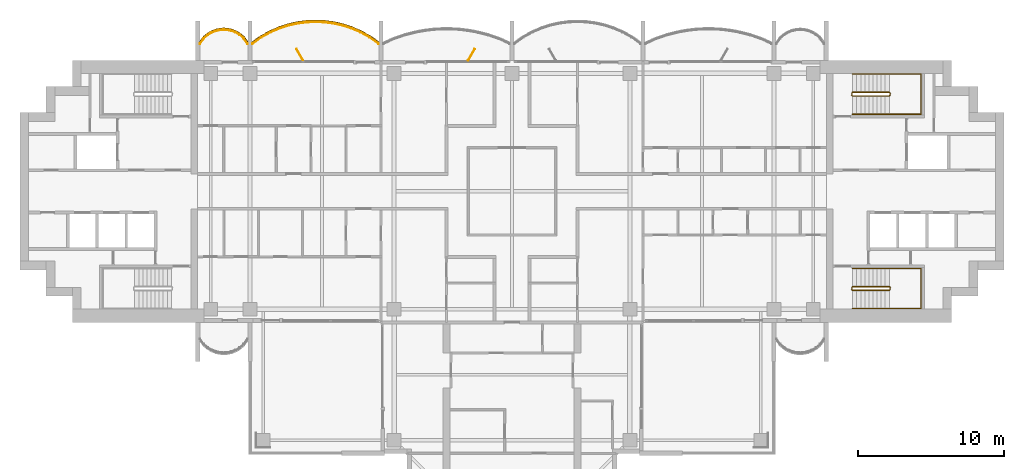
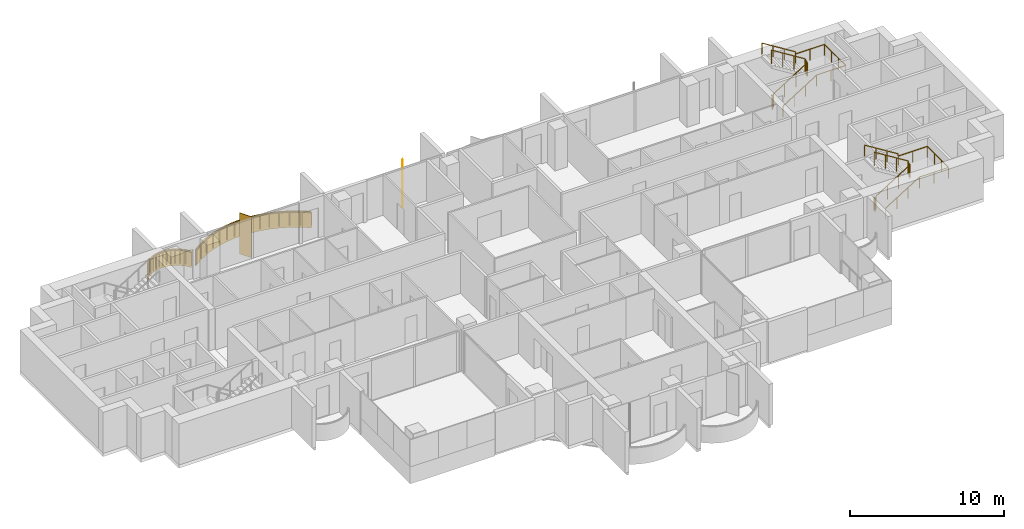
# One storey, part 16 of 17: 6 railings, 2 coverings, 2 shading devices.
"""IFC4 building model written with IfcOpenShell, lengths in metres."""

from ifc_helpers import new_model, si_unit, direction, frame, origin, origin_2d, place, context, subcontext, project, spatial, polyline, rectangle, outline, extrude, material, layer, layer_set, type_object, element, save


model = new_model("IFC4")

# Units and contexts
model_context = context("Model", 3, precision=1e-05, world=origin(), true_north=direction((0.0, 1.0)))
body_context = subcontext(model_context, "Body", "Model", "MODEL_VIEW")
ifc_project = project(units=[si_unit("LENGTHUNIT", "METRE"), si_unit("AREAUNIT", "SQUARE_METRE"), si_unit("VOLUMEUNIT", "CUBIC_METRE"), si_unit("PLANEANGLEUNIT", "RADIAN"), si_unit("MASSUNIT", "GRAM", prefix="KILO")], contexts=[model_context])

# Site, building, storey
site_placement = place(None, origin())
site = spatial("IfcSite", under=ifc_project, at=site_placement, CompositionType="ELEMENT")
building_placement = place(site_placement, origin())
building = spatial("IfcBuilding", under=site, at=building_placement, Name="Perihelion Cross Residences", CompositionType="ELEMENT")
storey_placement = place(building_placement, frame((0.0, 0.0, 194.60009765625)))
storey = spatial("IfcBuildingStorey", under=building, at=storey_placement, Name="L48", CompositionType="ELEMENT", Elevation=194.60009765625)

# Coverings
ifc_material_1 = material(Name="Bronze anodised aluminium", Category="aluminium")
ifc_layer_1 = layer(ifc_material_1, 0.070068359375)
ifc_layer_set_1 = layer_set([ifc_layer_1], Name="Balcony fascia 1300")
covering_type = type_object("IfcCoveringType", Name="Balcony fascia 1300", PredefinedType="CLADDING", material=ifc_layer_set_1)
covering_1_placement = place(storey_placement, frame((0.0, 0.0, -0.2001953125)))
element("IfcCovering", 1, at=covering_1_placement, inside=storey, type_object=covering_type, Name="Fascia BF1 L48 west side north bay 1", PredefinedType="CLADDING", context=body_context, shape_type="SweptSolid", body=[
    extrude(outline(polyline([(-9.734375, 10.694091796875), (-10.362060546875, 11.0419921875), (-10.989501953125, 11.313232421875), (-11.6171875, 11.516845703125), (-12.244873046875, 11.65869140625), (-12.872314453125, 11.742431640625), (-13.5, 11.77001953125), (-14.127685546875, 11.742431640625), (-14.755126953125, 11.65869140625), (-15.3828125, 11.516845703125), (-16.010498046875, 11.313232421875), (-16.637939453125, 11.0419921875), (-17.265625, 10.694091796875), (-17.85009765625, 10.285400390625), (-17.85009765625, 10.199951171875), (-17.228515625, 10.634765625), (-16.607177734375, 10.979248046875), (-15.985595703125, 11.247802734375), (-15.3642578125, 11.44921875), (-14.742919921875, 11.589599609375), (-14.121337890625, 11.672607421875), (-13.5, 11.699951171875), (-12.878662109375, 11.672607421875), (-12.257080078125, 11.589599609375), (-11.6357421875, 11.44921875), (-11.014404296875, 11.247802734375), (-10.392822265625, 10.979248046875), (-9.771484375, 10.634765625), (-9.14990234375, 10.199951171875), (-9.14990234375, 10.285400390625), (-9.734375, 10.694091796875)])), origin(), (0.0, 0.0, 1.0), 1.300048828125),
])
covering_2_placement = place(storey_placement, frame((0.0, 0.0, -0.2001953125)))
element("IfcCovering", 2, at=covering_2_placement, inside=storey, type_object=covering_type, Name="Fascia BF1 L48 west side north bay 2", PredefinedType="CLADDING", context=body_context, shape_type="SweptSolid", body=[
    extrude(outline(polyline([(-18.373779296875, 10.616455078125), (-18.6591796875, 10.86328125), (-18.9443359375, 11.031494140625), (-19.229736328125, 11.142578125), (-19.514892578125, 11.206298828125), (-19.800048828125, 11.22705078125), (-20.085205078125, 11.206298828125), (-20.370361328125, 11.142578125), (-20.655517578125, 11.031494140625), (-20.94091796875, 10.86328125), (-21.226318359375, 10.616455078125), (-21.449951171875, 10.31689453125), (-21.449951171875, 10.199951171875), (-21.175048828125, 10.568603515625), (-20.89990234375, 10.806396484375), (-20.625, 10.96875), (-20.35009765625, 11.07568359375), (-20.074951171875, 11.136962890625), (-19.800048828125, 11.156982421875), (-19.52490234375, 11.136962890625), (-19.25, 11.07568359375), (-18.97509765625, 10.96875), (-18.699951171875, 10.806396484375), (-18.425048828125, 10.568603515625), (-18.14990234375, 10.199951171875), (-18.14990234375, 10.31689453125), (-18.373779296875, 10.616455078125)])), origin(), (0.0, 0.0, 1.0), 1.300048828125),
])

# Railings
ifc_material_2 = material(Name="Bronze anodised aluminium", Category="aluminium")
railing_type_1 = type_object("IfcRailingType", Name="Balcony guard 1100", PredefinedType="GUARDRAIL", material=ifc_material_2)
railing_1_placement = place(storey_placement, frame((-9.175048828125, 10.139892578125, 0.0)))
element("IfcRailing", 3, at=railing_1_placement, inside=storey, type_object=railing_type_1, Name="Guard GU1 L48 west side north bay 1 balcony", PredefinedType="GUARDRAIL", context=body_context, shape_type="SweptSolid", body=[
    extrude(rectangle(XDim=0.048095703125, YDim=0.048095703125, at=origin_2d()), frame((0.0, 0.0, 1.076171875), z_axis=(-0.808063294873, 0.589095672603, 0.0), x_axis=(-0.589095672603, -0.808063294873, 0.0)), (0.0, 0.0, 1.0), 0.738037109375),
    extrude(rectangle(XDim=0.048095703125, YDim=0.048095703125, at=origin_2d()), frame((-0.596435546875, 0.434814453125, 1.076171875), z_axis=(-0.874578399268, 0.484884134133, 0.0), x_axis=(-0.484884134133, -0.874578399268, 0.0)), (0.0, 0.0, 1.0), 0.71044921875),
    extrude(rectangle(XDim=0.048095703125, YDim=0.048095703125, at=origin_2d()), frame((-1.2177734375, 0.779296875, 1.076171875), z_axis=(-0.917984792895, 0.396615582162, 0.0), x_axis=(-0.396615582162, -0.917984792895, 0.0)), (0.0, 0.0, 1.0), 0.677001953125),
    extrude(rectangle(XDim=0.048095703125, YDim=0.048095703125, at=origin_2d()), frame((-1.83935546875, 1.0478515625, 1.076171875), z_axis=(-0.951157585372, 0.308705762482, 0.0), x_axis=(-0.308705762482, -0.951157585372, 0.0)), (0.0, 0.0, 1.0), 0.6533203125),
    extrude(rectangle(XDim=0.048095703125, YDim=0.048095703125, at=origin_2d()), frame((-2.460693359375, 1.24951171875, 1.076171875), z_axis=(-0.975414431917, 0.220378506229, 0.0), x_axis=(-0.220378506229, -0.975414431917, 0.0)), (0.0, 0.0, 1.0), 0.636962890625),
    extrude(rectangle(XDim=0.048095703125, YDim=0.048095703125, at=origin_2d()), frame((-3.08203125, 1.389892578125, 1.076171875), z_axis=(-0.991251686862, 0.131985201039, 0.0), x_axis=(-0.131985201039, -0.991251686862, 0.0)), (0.0, 0.0, 1.0), 0.626953125),
    extrude(rectangle(XDim=0.048095703125, YDim=0.048095703125, at=origin_2d()), frame((-3.70361328125, 1.47265625, 1.076171875), z_axis=(-0.999033058467, 0.04396530552, 0.0), x_axis=(-0.04396530552, -0.999033058467, 0.0)), (0.0, 0.0, 1.0), 0.621826171875),
    extrude(rectangle(XDim=0.048095703125, YDim=0.048095703125, at=origin_2d()), frame((-4.324951171875, 1.5, 1.076171875), z_axis=(-0.999033058467, -0.04396530552, 0.0), x_axis=(0.04396530552, -0.999033058467, 0.0)), (0.0, 0.0, 1.0), 0.621826171875),
    extrude(rectangle(XDim=0.048095703125, YDim=0.048095703125, at=origin_2d()), frame((-4.9462890625, 1.47265625, 1.076171875), z_axis=(-0.991251686862, -0.131985201039, 0.0), x_axis=(0.131985201039, -0.991251686862, 0.0)), (0.0, 0.0, 1.0), 0.626953125),
    extrude(rectangle(XDim=0.048095703125, YDim=0.048095703125, at=origin_2d()), frame((-5.56787109375, 1.389892578125, 1.076171875), z_axis=(-0.975414431917, -0.220378506229, 0.0), x_axis=(0.220378506229, -0.975414431917, 0.0)), (0.0, 0.0, 1.0), 0.636962890625),
    extrude(rectangle(XDim=0.048095703125, YDim=0.048095703125, at=origin_2d()), frame((-6.189208984375, 1.24951171875, 1.076171875), z_axis=(-0.951157585372, -0.308705762482, 0.0), x_axis=(0.308705762482, -0.951157585372, 0.0)), (0.0, 0.0, 1.0), 0.6533203125),
    extrude(rectangle(XDim=0.048095703125, YDim=0.048095703125, at=origin_2d()), frame((-6.810546875, 1.0478515625, 1.076171875), z_axis=(-0.917984792895, -0.396615582162, 0.0), x_axis=(0.396615582162, -0.917984792895, 0.0)), (0.0, 0.0, 1.0), 0.677001953125),
    extrude(rectangle(XDim=0.048095703125, YDim=0.048095703125, at=origin_2d()), frame((-7.43212890625, 0.779296875, 1.076171875), z_axis=(-0.874578399268, -0.484884134133, 0.0), x_axis=(0.484884134133, -0.874578399268, 0.0)), (0.0, 0.0, 1.0), 0.71044921875),
    extrude(rectangle(XDim=0.048095703125, YDim=0.048095703125, at=origin_2d()), frame((-8.053466796875, 0.434814453125, 1.076171875), z_axis=(-0.808063294873, -0.589095672603, 0.0), x_axis=(0.589095672603, -0.808063294873, 0.0)), (0.0, 0.0, 1.0), 0.738037109375),
    extrude(rectangle(XDim=0.0419921875, YDim=0.0419921875, at=origin_2d()), origin(), (0.0, 0.0, 1.0), 1.052001953125),
    extrude(rectangle(XDim=0.0419921875, YDim=0.0419921875, at=origin_2d()), frame((-0.596435546875, 0.434814453125, 0.0)), (0.0, 0.0, 1.0), 1.052001953125),
    extrude(rectangle(XDim=0.0419921875, YDim=0.0419921875, at=origin_2d()), frame((-1.2177734375, 0.779296875, 0.0)), (0.0, 0.0, 1.0), 1.052001953125),
    extrude(rectangle(XDim=0.0419921875, YDim=0.0419921875, at=origin_2d()), frame((-1.83935546875, 1.0478515625, 0.0)), (0.0, 0.0, 1.0), 1.052001953125),
    extrude(rectangle(XDim=0.0419921875, YDim=0.0419921875, at=origin_2d()), frame((-2.460693359375, 1.24951171875, 0.0)), (0.0, 0.0, 1.0), 1.052001953125),
    extrude(rectangle(XDim=0.0419921875, YDim=0.0419921875, at=origin_2d()), frame((-3.08203125, 1.389892578125, 0.0)), (0.0, 0.0, 1.0), 1.052001953125),
    extrude(rectangle(XDim=0.0419921875, YDim=0.0419921875, at=origin_2d()), frame((-3.70361328125, 1.47265625, 0.0)), (0.0, 0.0, 1.0), 1.052001953125),
    extrude(rectangle(XDim=0.0419921875, YDim=0.0419921875, at=origin_2d()), frame((-4.324951171875, 1.5, 0.0)), (0.0, 0.0, 1.0), 1.052001953125),
    extrude(rectangle(XDim=0.0419921875, YDim=0.0419921875, at=origin_2d()), frame((-4.9462890625, 1.47265625, 0.0)), (0.0, 0.0, 1.0), 1.052001953125),
    extrude(rectangle(XDim=0.0419921875, YDim=0.0419921875, at=origin_2d()), frame((-5.56787109375, 1.389892578125, 0.0)), (0.0, 0.0, 1.0), 1.052001953125),
    extrude(rectangle(XDim=0.0419921875, YDim=0.0419921875, at=origin_2d()), frame((-6.189208984375, 1.24951171875, 0.0)), (0.0, 0.0, 1.0), 1.052001953125),
    extrude(rectangle(XDim=0.0419921875, YDim=0.0419921875, at=origin_2d()), frame((-6.810546875, 1.0478515625, 0.0)), (0.0, 0.0, 1.0), 1.052001953125),
    extrude(rectangle(XDim=0.0419921875, YDim=0.0419921875, at=origin_2d()), frame((-7.43212890625, 0.779296875, 0.0)), (0.0, 0.0, 1.0), 1.052001953125),
    extrude(rectangle(XDim=0.0419921875, YDim=0.0419921875, at=origin_2d()), frame((-8.053466796875, 0.434814453125, 0.0)), (0.0, 0.0, 1.0), 1.052001953125),
    extrude(rectangle(XDim=0.0419921875, YDim=0.0419921875, at=origin_2d()), frame((-8.64990234375, 0.0, 0.0)), (0.0, 0.0, 1.0), 1.052001953125),
])
railing_2_placement = place(storey_placement, frame((-18.175048828125, 10.139892578125, 0.0)))
element("IfcRailing", 4, at=railing_2_placement, inside=storey, type_object=railing_type_1, Name="Guard GU1 L48 west side north bay 2 balcony", PredefinedType="GUARDRAIL", context=body_context, shape_type="SweptSolid", body=[
    extrude(rectangle(XDim=0.048095703125, YDim=0.048095703125, at=origin_2d()), frame((0.0, 0.0, 1.076171875), z_axis=(-0.561260132269, 0.827639452857, 0.0), x_axis=(-0.827639452857, -0.561260132269, 0.0)), (0.0, 0.0, 1.0), 0.4453125),
    extrude(rectangle(XDim=0.048095703125, YDim=0.048095703125, at=origin_2d()), frame((-0.25, 0.36865234375, 1.076171875), z_axis=(-0.756309278473, 0.654214242658, 0.0), x_axis=(-0.654214242658, -0.756309278473, 0.0)), (0.0, 0.0, 1.0), 0.363525390625),
    extrude(rectangle(XDim=0.048095703125, YDim=0.048095703125, at=origin_2d()), frame((-0.52490234375, 0.6064453125, 1.076171875), z_axis=(-0.861245845072, 0.508188542123, 0.0), x_axis=(-0.508188542123, -0.861245845072, 0.0)), (0.0, 0.0, 1.0), 0.319580078125),
    extrude(rectangle(XDim=0.048095703125, YDim=0.048095703125, at=origin_2d()), frame((-0.800048828125, 0.768798828125, 1.076171875), z_axis=(-0.931973602183, 0.362526143656, 0.0), x_axis=(-0.362526143656, -0.931973602183, 0.0)), (0.0, 0.0, 1.0), 0.294921875),
    extrude(rectangle(XDim=0.048095703125, YDim=0.048095703125, at=origin_2d()), frame((-1.074951171875, 0.875732421875, 1.076171875), z_axis=(-0.976044077717, 0.217572880557, 0.0), x_axis=(-0.217572880557, -0.976044077717, 0.0)), (0.0, 0.0, 1.0), 0.28173828125),
    extrude(rectangle(XDim=0.048095703125, YDim=0.048095703125, at=origin_2d()), frame((-1.349853515625, 0.93701171875, 1.076171875), z_axis=(-0.997363488337, 0.072567707226, 0.0), x_axis=(-0.072567707226, -0.997363488337, 0.0)), (0.0, 0.0, 1.0), 0.27587890625),
    extrude(rectangle(XDim=0.048095703125, YDim=0.048095703125, at=origin_2d()), frame((-1.625, 0.95703125, 1.076171875), z_axis=(-0.997358821833, -0.072631814734, 0.0), x_axis=(0.072631814734, -0.997358821833, 0.0)), (0.0, 0.0, 1.0), 0.275634765625),
    extrude(rectangle(XDim=0.048095703125, YDim=0.048095703125, at=origin_2d()), frame((-1.89990234375, 0.93701171875, 1.076171875), z_axis=(-0.976085059389, -0.21738895289, 0.0), x_axis=(0.21738895289, -0.976085059389, 0.0)), (0.0, 0.0, 1.0), 0.281982421875),
    extrude(rectangle(XDim=0.048095703125, YDim=0.048095703125, at=origin_2d()), frame((-2.175048828125, 0.875732421875, 1.076171875), z_axis=(-0.931973602183, -0.362526143656, 0.0), x_axis=(0.362526143656, -0.931973602183, 0.0)), (0.0, 0.0, 1.0), 0.294921875),
    extrude(rectangle(XDim=0.048095703125, YDim=0.048095703125, at=origin_2d()), frame((-2.449951171875, 0.768798828125, 1.076171875), z_axis=(-0.861048292884, -0.508523192511, 0.0), x_axis=(0.508523192511, -0.861048292884, 0.0)), (0.0, 0.0, 1.0), 0.3193359375),
    extrude(rectangle(XDim=0.048095703125, YDim=0.048095703125, at=origin_2d()), frame((-2.724853515625, 0.6064453125, 1.076171875), z_axis=(-0.756596535164, -0.653882009982, 0.0), x_axis=(0.653882009982, -0.756596535164, 0.0)), (0.0, 0.0, 1.0), 0.36376953125),
    extrude(rectangle(XDim=0.048095703125, YDim=0.048095703125, at=origin_2d()), frame((-3.0, 0.36865234375, 1.076171875), z_axis=(-0.561260132269, -0.827639452857, 0.0), x_axis=(0.827639452857, -0.561260132269, 0.0)), (0.0, 0.0, 1.0), 0.4453125),
    extrude(rectangle(XDim=0.0419921875, YDim=0.0419921875, at=origin_2d()), origin(), (0.0, 0.0, 1.0), 1.052001953125),
    extrude(rectangle(XDim=0.0419921875, YDim=0.0419921875, at=origin_2d()), frame((-0.25, 0.36865234375, 0.0)), (0.0, 0.0, 1.0), 1.052001953125),
    extrude(rectangle(XDim=0.0419921875, YDim=0.0419921875, at=origin_2d()), frame((-0.52490234375, 0.6064453125, 0.0)), (0.0, 0.0, 1.0), 1.052001953125),
    extrude(rectangle(XDim=0.0419921875, YDim=0.0419921875, at=origin_2d()), frame((-0.800048828125, 0.768798828125, 0.0)), (0.0, 0.0, 1.0), 1.052001953125),
    extrude(rectangle(XDim=0.0419921875, YDim=0.0419921875, at=origin_2d()), frame((-1.074951171875, 0.875732421875, 0.0)), (0.0, 0.0, 1.0), 1.052001953125),
    extrude(rectangle(XDim=0.0419921875, YDim=0.0419921875, at=origin_2d()), frame((-1.349853515625, 0.93701171875, 0.0)), (0.0, 0.0, 1.0), 1.052001953125),
    extrude(rectangle(XDim=0.0419921875, YDim=0.0419921875, at=origin_2d()), frame((-1.625, 0.95703125, 0.0)), (0.0, 0.0, 1.0), 1.052001953125),
    extrude(rectangle(XDim=0.0419921875, YDim=0.0419921875, at=origin_2d()), frame((-1.89990234375, 0.93701171875, 0.0)), (0.0, 0.0, 1.0), 1.052001953125),
    extrude(rectangle(XDim=0.0419921875, YDim=0.0419921875, at=origin_2d()), frame((-2.175048828125, 0.875732421875, 0.0)), (0.0, 0.0, 1.0), 1.052001953125),
    extrude(rectangle(XDim=0.0419921875, YDim=0.0419921875, at=origin_2d()), frame((-2.449951171875, 0.768798828125, 0.0)), (0.0, 0.0, 1.0), 1.052001953125),
    extrude(rectangle(XDim=0.0419921875, YDim=0.0419921875, at=origin_2d()), frame((-2.724853515625, 0.6064453125, 0.0)), (0.0, 0.0, 1.0), 1.052001953125),
    extrude(rectangle(XDim=0.0419921875, YDim=0.0419921875, at=origin_2d()), frame((-3.0, 0.36865234375, 0.0)), (0.0, 0.0, 1.0), 1.052001953125),
    extrude(rectangle(XDim=0.0419921875, YDim=0.0419921875, at=origin_2d()), frame((-3.25, 0.0, 0.0)), (0.0, 0.0, 1.0), 1.052001953125),
])

# Shading devices
ifc_material_3 = material(Name="Bronze anodised aluminium", Category="aluminium")
ifc_layer_2 = layer(ifc_material_3, 0.050048828125)
ifc_layer_set_2 = layer_set([ifc_layer_2], Name="Bronze fin 900")
shading_device_type = type_object("IfcShadingDeviceType", Name="Bronze fin 900", PredefinedType="USERDEFINED", material=ifc_layer_set_2)
for number, where, z_axis, x_axis, name in (
    (5, (-2.78759765625, 9.3896484375, 0.0), (0.0, 0.0, 1.0), (0.5, 0.866025403784, 0.0), "Fin FN1 L48 north side east bay 2"),
    (6, (-14.574951171875, 9.3896484375, 0.0), (0.0, 0.0, 1.0), (-0.5, 0.866025403784, 0.0), "Fin FN1 L48 west side north bay 1"),
):
    element("IfcShadingDevice", number, at=place(storey_placement, frame(where, z_axis=z_axis, x_axis=x_axis)), inside=storey, type_object=shading_device_type, Name=name, ObjectType="FIN", PredefinedType="USERDEFINED", context=body_context, shape_type="SweptSolid", body=[
        extrude(rectangle(XDim=0.89990234375, YDim=0.050048828125, at=origin_2d()), origin(), (0.0, 0.0, 1.0), 3.25),
    ])

# Railings
ifc_material_4 = material(Name="Stainless steel", Category="steel")
railing_type_2 = type_object("IfcRailingType", Name="Stair guard 1100", PredefinedType="GUARDRAIL", material=ifc_material_4)
railing_3_placement = place(storey_placement, frame((23.35009765625, 6.75, 0.0)))
element("IfcRailing", 7, at=railing_3_placement, inside=storey, type_object=railing_type_2, Name="L48 ST-E1 stair guard 1", PredefinedType="GUARDRAIL", context=body_context, shape_type="SweptSolid", body=[
    extrude(rectangle(XDim=0.048095703125, YDim=0.048095703125, at=origin_2d()), frame((0.0, 0.0, 1.076171875), z_axis=(0.0, -1.0, 0.0), x_axis=(1.0, 0.0, 0.0)), (0.0, 0.0, 1.0), 0.14990234375),
    extrude(rectangle(XDim=0.048095703125, YDim=0.048095703125, at=origin_2d()), frame((0.0, -0.14990234375, 1.076171875), z_axis=(0.264179342666, -0.265474339444, 0.927217692888), x_axis=(0.708833529934, 0.705375805398, 0.0)), (0.0, 0.0, 1.0), 0.1884765625),
    extrude(rectangle(XDim=0.048095703125, YDim=0.048095703125, at=origin_2d()), frame((0.0498046875, -0.199951171875, 1.2509765625), z_axis=(0.847970611238, 0.0, 0.530043245855), x_axis=(0.0, 1.0, 0.0)), (0.0, 0.0, 1.0), 2.971923828125),
    extrude(rectangle(XDim=0.048095703125, YDim=0.048095703125, at=origin_2d()), frame((2.56982421875, -0.199951171875, 2.826171875), z_axis=(0.707106781187, 0.707106781187, 0.0), x_axis=(-0.707106781187, 0.707106781187, 0.0)), (0.0, 0.0, 1.0), 0.07080078125),
    extrude(rectangle(XDim=0.048095703125, YDim=0.048095703125, at=origin_2d()), frame((2.619873046875, -0.14990234375, 2.826171875), z_axis=(0.0, 1.0, 0.0), x_axis=(-1.0, 0.0, 0.0)), (0.0, 0.0, 1.0), 0.14990234375),
    extrude(rectangle(XDim=0.048095703125, YDim=0.048095703125, at=origin_2d()), frame((2.619873046875, 0.0, 2.826171875), z_axis=(-0.265383341853, 0.265383341853, 0.926899867156), x_axis=(-0.707106781187, -0.707106781187, 0.0)), (0.0, 0.0, 1.0), 0.1884765625),
    extrude(rectangle(XDim=0.048095703125, YDim=0.048095703125, at=origin_2d()), frame((2.56982421875, 0.050048828125, 3.0009765625), z_axis=(-0.847970611238, 0.0, 0.530043245855), x_axis=(0.0, -1.0, 0.0)), (0.0, 0.0, 1.0), 2.971923828125),
    extrude(rectangle(XDim=0.0419921875, YDim=0.0419921875, at=origin_2d()), origin(), (0.0, 0.0, 1.0), 1.052001953125),
    extrude(rectangle(XDim=0.0419921875, YDim=0.0419921875, at=origin_2d()), frame((0.0, -0.14990234375, 0.0)), (0.0, 0.0, 1.0), 1.052001953125),
    extrude(rectangle(XDim=0.0419921875, YDim=0.0419921875, at=origin_2d()), frame((0.0498046875, -0.199951171875, 0.1748046875)), (0.0, 0.0, 1.0), 1.052001953125),
    extrude(rectangle(XDim=0.0419921875, YDim=0.0419921875, at=origin_2d()), frame((0.889892578125, -0.199951171875, 0.699951171875)), (0.0, 0.0, 1.0), 1.052001953125),
    extrude(rectangle(XDim=0.0419921875, YDim=0.0419921875, at=origin_2d()), frame((1.729736328125, -0.199951171875, 1.224853515625)), (0.0, 0.0, 1.0), 1.052001953125),
    extrude(rectangle(XDim=0.0419921875, YDim=0.0419921875, at=origin_2d()), frame((2.56982421875, -0.199951171875, 1.75)), (0.0, 0.0, 1.0), 1.052001953125),
    extrude(rectangle(XDim=0.0419921875, YDim=0.0419921875, at=origin_2d()), frame((2.619873046875, -0.14990234375, 1.75)), (0.0, 0.0, 1.0), 1.052001953125),
    extrude(rectangle(XDim=0.0419921875, YDim=0.0419921875, at=origin_2d()), frame((2.619873046875, 0.0, 1.75)), (0.0, 0.0, 1.0), 1.052001953125),
    extrude(rectangle(XDim=0.0419921875, YDim=0.0419921875, at=origin_2d()), frame((2.56982421875, 0.050048828125, 1.9248046875)), (0.0, 0.0, 1.0), 1.052001953125),
    extrude(rectangle(XDim=0.0419921875, YDim=0.0419921875, at=origin_2d()), frame((1.729736328125, 0.050048828125, 2.449951171875)), (0.0, 0.0, 1.0), 1.052001953125),
    extrude(rectangle(XDim=0.0419921875, YDim=0.0419921875, at=origin_2d()), frame((0.889892578125, 0.050048828125, 2.974853515625)), (0.0, 0.0, 1.0), 1.052001953125),
    extrude(rectangle(XDim=0.0419921875, YDim=0.0419921875, at=origin_2d()), frame((0.0498046875, 0.050048828125, 3.5)), (0.0, 0.0, 1.0), 1.052001953125),
])
railing_4_placement = place(storey_placement, frame((23.35009765625, -6.60009765625, 0.0)))
element("IfcRailing", 8, at=railing_4_placement, inside=storey, type_object=railing_type_2, Name="L48 ST-E2 stair guard 1", PredefinedType="GUARDRAIL", context=body_context, shape_type="SweptSolid", body=[
    extrude(rectangle(XDim=0.048095703125, YDim=0.048095703125, at=origin_2d()), frame((0.0, 0.0, 1.076171875), z_axis=(0.0, -1.0, 0.0), x_axis=(1.0, 0.0, 0.0)), (0.0, 0.0, 1.0), 0.14990234375),
    extrude(rectangle(XDim=0.048095703125, YDim=0.048095703125, at=origin_2d()), frame((0.0, -0.14990234375, 1.076171875), z_axis=(0.264179342666, -0.265474339444, 0.927217692888), x_axis=(0.708833529934, 0.705375805398, 0.0)), (0.0, 0.0, 1.0), 0.1884765625),
    extrude(rectangle(XDim=0.048095703125, YDim=0.048095703125, at=origin_2d()), frame((0.0498046875, -0.199951171875, 1.2509765625), z_axis=(0.847970611238, 0.0, 0.530043245855), x_axis=(0.0, 1.0, 0.0)), (0.0, 0.0, 1.0), 2.971923828125),
    extrude(rectangle(XDim=0.048095703125, YDim=0.048095703125, at=origin_2d()), frame((2.56982421875, -0.199951171875, 2.826171875), z_axis=(0.707106781187, 0.707106781187, 0.0), x_axis=(-0.707106781187, 0.707106781187, 0.0)), (0.0, 0.0, 1.0), 0.07080078125),
    extrude(rectangle(XDim=0.048095703125, YDim=0.048095703125, at=origin_2d()), frame((2.619873046875, -0.14990234375, 2.826171875), z_axis=(0.0, 1.0, 0.0), x_axis=(-1.0, 0.0, 0.0)), (0.0, 0.0, 1.0), 0.14990234375),
    extrude(rectangle(XDim=0.048095703125, YDim=0.048095703125, at=origin_2d()), frame((2.619873046875, 0.0, 2.826171875), z_axis=(-0.265383341853, 0.265383341853, 0.926899867156), x_axis=(-0.707106781187, -0.707106781187, 0.0)), (0.0, 0.0, 1.0), 0.1884765625),
    extrude(rectangle(XDim=0.048095703125, YDim=0.048095703125, at=origin_2d()), frame((2.56982421875, 0.050048828125, 3.0009765625), z_axis=(-0.847970611238, 0.0, 0.530043245855), x_axis=(0.0, -1.0, 0.0)), (0.0, 0.0, 1.0), 2.971923828125),
    extrude(rectangle(XDim=0.0419921875, YDim=0.0419921875, at=origin_2d()), origin(), (0.0, 0.0, 1.0), 1.052001953125),
    extrude(rectangle(XDim=0.0419921875, YDim=0.0419921875, at=origin_2d()), frame((0.0, -0.14990234375, 0.0)), (0.0, 0.0, 1.0), 1.052001953125),
    extrude(rectangle(XDim=0.0419921875, YDim=0.0419921875, at=origin_2d()), frame((0.0498046875, -0.199951171875, 0.1748046875)), (0.0, 0.0, 1.0), 1.052001953125),
    extrude(rectangle(XDim=0.0419921875, YDim=0.0419921875, at=origin_2d()), frame((0.889892578125, -0.199951171875, 0.699951171875)), (0.0, 0.0, 1.0), 1.052001953125),
    extrude(rectangle(XDim=0.0419921875, YDim=0.0419921875, at=origin_2d()), frame((1.729736328125, -0.199951171875, 1.224853515625)), (0.0, 0.0, 1.0), 1.052001953125),
    extrude(rectangle(XDim=0.0419921875, YDim=0.0419921875, at=origin_2d()), frame((2.56982421875, -0.199951171875, 1.75)), (0.0, 0.0, 1.0), 1.052001953125),
    extrude(rectangle(XDim=0.0419921875, YDim=0.0419921875, at=origin_2d()), frame((2.619873046875, -0.14990234375, 1.75)), (0.0, 0.0, 1.0), 1.052001953125),
    extrude(rectangle(XDim=0.0419921875, YDim=0.0419921875, at=origin_2d()), frame((2.619873046875, 0.0, 1.75)), (0.0, 0.0, 1.0), 1.052001953125),
    extrude(rectangle(XDim=0.0419921875, YDim=0.0419921875, at=origin_2d()), frame((2.56982421875, 0.050048828125, 1.9248046875)), (0.0, 0.0, 1.0), 1.052001953125),
    extrude(rectangle(XDim=0.0419921875, YDim=0.0419921875, at=origin_2d()), frame((1.729736328125, 0.050048828125, 2.449951171875)), (0.0, 0.0, 1.0), 1.052001953125),
    extrude(rectangle(XDim=0.0419921875, YDim=0.0419921875, at=origin_2d()), frame((0.889892578125, 0.050048828125, 2.974853515625)), (0.0, 0.0, 1.0), 1.052001953125),
    extrude(rectangle(XDim=0.0419921875, YDim=0.0419921875, at=origin_2d()), frame((0.0498046875, 0.050048828125, 3.5)), (0.0, 0.0, 1.0), 1.052001953125),
])
ifc_material_5 = material(Name="Stainless steel", Category="steel")
railing_type_3 = type_object("IfcRailingType", Name="Stair handrail 900", PredefinedType="HANDRAIL", material=ifc_material_5)
railing_5_placement = place(storey_placement, frame((23.39990234375, 5.300048828125, 0.1748046875)))
element("IfcRailing", 9, at=railing_5_placement, inside=storey, type_object=railing_type_3, Name="L48 ST-E1 stair handrail 1", PredefinedType="HANDRAIL", context=body_context, shape_type="SweptSolid", body=[
    extrude(rectangle(XDim=0.048095703125, YDim=0.048095703125, at=origin_2d()), frame((0.0, 0.0, 0.8759765625), z_axis=(0.847970611238, 0.0, 0.530043245855), x_axis=(0.0, 1.0, 0.0)), (0.0, 0.0, 1.0), 2.971923828125),
    extrude(rectangle(XDim=0.048095703125, YDim=0.048095703125, at=origin_2d()), frame((2.52001953125, 0.0, 2.451171875), z_axis=(1.0, 0.0, 0.0), x_axis=(0.0, 1.0, 0.0)), (0.0, 0.0, 1.0), 2.18017578125),
    extrude(rectangle(XDim=0.048095703125, YDim=0.048095703125, at=origin_2d()), frame((4.7001953125, 0.0, 2.451171875), z_axis=(0.0, 1.0, 0.0), x_axis=(-1.0, 0.0, 0.0)), (0.0, 0.0, 1.0), 2.75),
    extrude(rectangle(XDim=0.048095703125, YDim=0.048095703125, at=origin_2d()), frame((4.7001953125, 2.75, 2.451171875), z_axis=(-1.0, 0.0, 0.0), x_axis=(0.0, -1.0, 0.0)), (0.0, 0.0, 1.0), 2.18017578125),
    extrude(rectangle(XDim=0.048095703125, YDim=0.048095703125, at=origin_2d()), frame((2.52001953125, 2.75, 2.451171875), z_axis=(0.0, 0.0, 1.0), x_axis=(1.0, 0.0, 0.0)), (0.0, 0.0, 1.0), 0.1748046875),
    extrude(rectangle(XDim=0.048095703125, YDim=0.048095703125, at=origin_2d()), frame((2.52001953125, 2.75, 2.6259765625), z_axis=(-0.847970611238, 0.0, 0.530043245855), x_axis=(0.0, -1.0, 0.0)), (0.0, 0.0, 1.0), 2.971923828125),
    extrude(rectangle(XDim=0.0419921875, YDim=0.0419921875, at=origin_2d()), origin(), (0.0, 0.0, 1.0), 0.851806640625),
    extrude(rectangle(XDim=0.0419921875, YDim=0.0419921875, at=origin_2d()), frame((0.840087890625, 0.0, 0.525146484375)), (0.0, 0.0, 1.0), 0.851806640625),
    extrude(rectangle(XDim=0.0419921875, YDim=0.0419921875, at=origin_2d()), frame((1.679931640625, 0.0, 1.050048828125)), (0.0, 0.0, 1.0), 0.851806640625),
    extrude(rectangle(XDim=0.0419921875, YDim=0.0419921875, at=origin_2d()), frame((2.52001953125, 0.0, 1.5751953125)), (0.0, 0.0, 1.0), 0.851806640625),
    extrude(rectangle(XDim=0.0419921875, YDim=0.0419921875, at=origin_2d()), frame((3.610107421875, 0.0, 1.5751953125)), (0.0, 0.0, 1.0), 0.851806640625),
    extrude(rectangle(XDim=0.0419921875, YDim=0.0419921875, at=origin_2d()), frame((4.7001953125, 0.0, 1.5751953125)), (0.0, 0.0, 1.0), 0.851806640625),
    extrude(rectangle(XDim=0.0419921875, YDim=0.0419921875, at=origin_2d()), frame((4.7001953125, 0.916748046875, 1.5751953125)), (0.0, 0.0, 1.0), 0.851806640625),
    extrude(rectangle(XDim=0.0419921875, YDim=0.0419921875, at=origin_2d()), frame((4.7001953125, 1.833251953125, 1.5751953125)), (0.0, 0.0, 1.0), 0.851806640625),
    extrude(rectangle(XDim=0.0419921875, YDim=0.0419921875, at=origin_2d()), frame((4.7001953125, 2.75, 1.5751953125)), (0.0, 0.0, 1.0), 0.851806640625),
    extrude(rectangle(XDim=0.0419921875, YDim=0.0419921875, at=origin_2d()), frame((3.610107421875, 2.75, 1.5751953125)), (0.0, 0.0, 1.0), 0.851806640625),
    extrude(rectangle(XDim=0.0419921875, YDim=0.0419921875, at=origin_2d()), frame((2.52001953125, 2.75, 1.5751953125)), (0.0, 0.0, 1.0), 0.851806640625),
    extrude(rectangle(XDim=0.0419921875, YDim=0.0419921875, at=origin_2d()), frame((2.52001953125, 2.75, 1.75)), (0.0, 0.0, 1.0), 0.851806640625),
    extrude(rectangle(XDim=0.0419921875, YDim=0.0419921875, at=origin_2d()), frame((1.679931640625, 2.75, 2.275146484375)), (0.0, 0.0, 1.0), 0.851806640625),
    extrude(rectangle(XDim=0.0419921875, YDim=0.0419921875, at=origin_2d()), frame((0.840087890625, 2.75, 2.800048828125)), (0.0, 0.0, 1.0), 0.851806640625),
    extrude(rectangle(XDim=0.0419921875, YDim=0.0419921875, at=origin_2d()), frame((0.0, 2.75, 3.3251953125)), (0.0, 0.0, 1.0), 0.851806640625),
])
railing_6_placement = place(storey_placement, frame((23.39990234375, -8.050048828125, 0.1748046875)))
element("IfcRailing", 10, at=railing_6_placement, inside=storey, type_object=railing_type_3, Name="L48 ST-E2 stair handrail 1", PredefinedType="HANDRAIL", context=body_context, shape_type="SweptSolid", body=[
    extrude(rectangle(XDim=0.048095703125, YDim=0.048095703125, at=origin_2d()), frame((0.0, 0.0, 0.8759765625), z_axis=(0.847970611238, 0.0, 0.530043245855), x_axis=(0.0, 1.0, 0.0)), (0.0, 0.0, 1.0), 2.971923828125),
    extrude(rectangle(XDim=0.048095703125, YDim=0.048095703125, at=origin_2d()), frame((2.52001953125, 0.0, 2.451171875), z_axis=(1.0, 0.0, 0.0), x_axis=(0.0, 1.0, 0.0)), (0.0, 0.0, 1.0), 2.18017578125),
    extrude(rectangle(XDim=0.048095703125, YDim=0.048095703125, at=origin_2d()), frame((4.7001953125, 0.0, 2.451171875), z_axis=(0.0, 1.0, 0.0), x_axis=(-1.0, 0.0, 0.0)), (0.0, 0.0, 1.0), 2.75),
    extrude(rectangle(XDim=0.048095703125, YDim=0.048095703125, at=origin_2d()), frame((4.7001953125, 2.75, 2.451171875), z_axis=(-1.0, 0.0, 0.0), x_axis=(0.0, -1.0, 0.0)), (0.0, 0.0, 1.0), 2.18017578125),
    extrude(rectangle(XDim=0.048095703125, YDim=0.048095703125, at=origin_2d()), frame((2.52001953125, 2.75, 2.451171875), z_axis=(0.0, 0.0, 1.0), x_axis=(1.0, 0.0, 0.0)), (0.0, 0.0, 1.0), 0.1748046875),
    extrude(rectangle(XDim=0.048095703125, YDim=0.048095703125, at=origin_2d()), frame((2.52001953125, 2.75, 2.6259765625), z_axis=(-0.847970611238, 0.0, 0.530043245855), x_axis=(0.0, -1.0, 0.0)), (0.0, 0.0, 1.0), 2.971923828125),
    extrude(rectangle(XDim=0.0419921875, YDim=0.0419921875, at=origin_2d()), origin(), (0.0, 0.0, 1.0), 0.851806640625),
    extrude(rectangle(XDim=0.0419921875, YDim=0.0419921875, at=origin_2d()), frame((0.840087890625, 0.0, 0.525146484375)), (0.0, 0.0, 1.0), 0.851806640625),
    extrude(rectangle(XDim=0.0419921875, YDim=0.0419921875, at=origin_2d()), frame((1.679931640625, 0.0, 1.050048828125)), (0.0, 0.0, 1.0), 0.851806640625),
    extrude(rectangle(XDim=0.0419921875, YDim=0.0419921875, at=origin_2d()), frame((2.52001953125, 0.0, 1.5751953125)), (0.0, 0.0, 1.0), 0.851806640625),
    extrude(rectangle(XDim=0.0419921875, YDim=0.0419921875, at=origin_2d()), frame((3.610107421875, 0.0, 1.5751953125)), (0.0, 0.0, 1.0), 0.851806640625),
    extrude(rectangle(XDim=0.0419921875, YDim=0.0419921875, at=origin_2d()), frame((4.7001953125, 0.0, 1.5751953125)), (0.0, 0.0, 1.0), 0.851806640625),
    extrude(rectangle(XDim=0.0419921875, YDim=0.0419921875, at=origin_2d()), frame((4.7001953125, 0.916748046875, 1.5751953125)), (0.0, 0.0, 1.0), 0.851806640625),
    extrude(rectangle(XDim=0.0419921875, YDim=0.0419921875, at=origin_2d()), frame((4.7001953125, 1.833251953125, 1.5751953125)), (0.0, 0.0, 1.0), 0.851806640625),
    extrude(rectangle(XDim=0.0419921875, YDim=0.0419921875, at=origin_2d()), frame((4.7001953125, 2.75, 1.5751953125)), (0.0, 0.0, 1.0), 0.851806640625),
    extrude(rectangle(XDim=0.0419921875, YDim=0.0419921875, at=origin_2d()), frame((3.610107421875, 2.75, 1.5751953125)), (0.0, 0.0, 1.0), 0.851806640625),
    extrude(rectangle(XDim=0.0419921875, YDim=0.0419921875, at=origin_2d()), frame((2.52001953125, 2.75, 1.5751953125)), (0.0, 0.0, 1.0), 0.851806640625),
    extrude(rectangle(XDim=0.0419921875, YDim=0.0419921875, at=origin_2d()), frame((2.52001953125, 2.75, 1.75)), (0.0, 0.0, 1.0), 0.851806640625),
    extrude(rectangle(XDim=0.0419921875, YDim=0.0419921875, at=origin_2d()), frame((1.679931640625, 2.75, 2.275146484375)), (0.0, 0.0, 1.0), 0.851806640625),
    extrude(rectangle(XDim=0.0419921875, YDim=0.0419921875, at=origin_2d()), frame((0.840087890625, 2.75, 2.800048828125)), (0.0, 0.0, 1.0), 0.851806640625),
    extrude(rectangle(XDim=0.0419921875, YDim=0.0419921875, at=origin_2d()), frame((0.0, 2.75, 3.3251953125)), (0.0, 0.0, 1.0), 0.851806640625),
])

save(model, "model.ifc")
